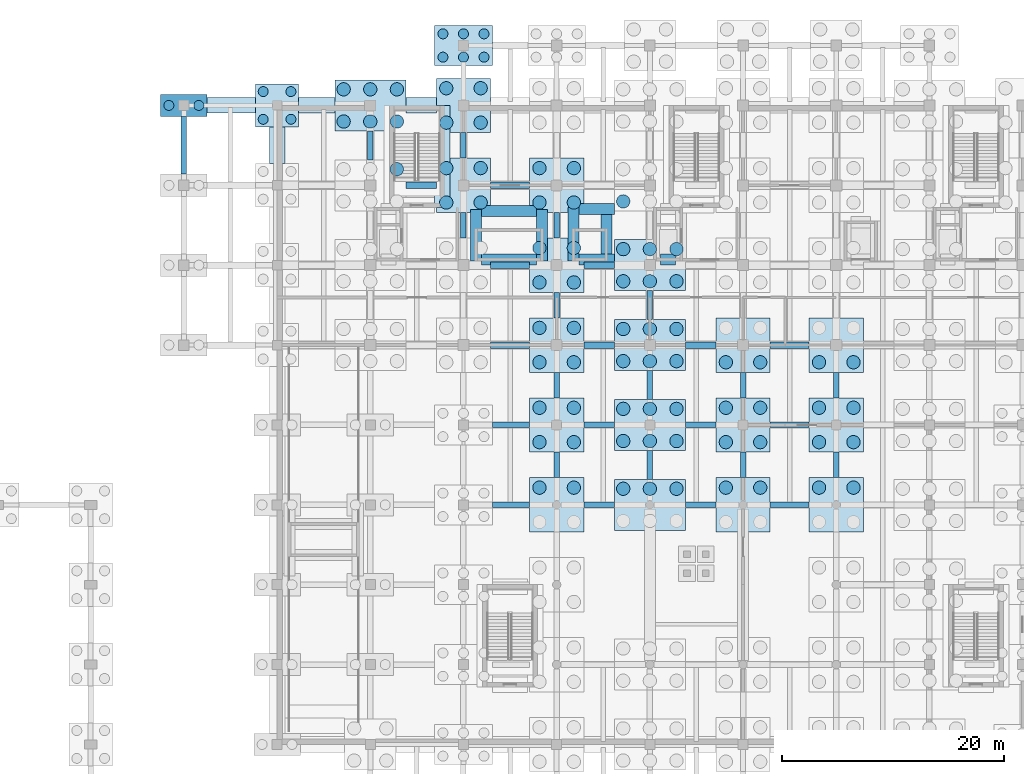
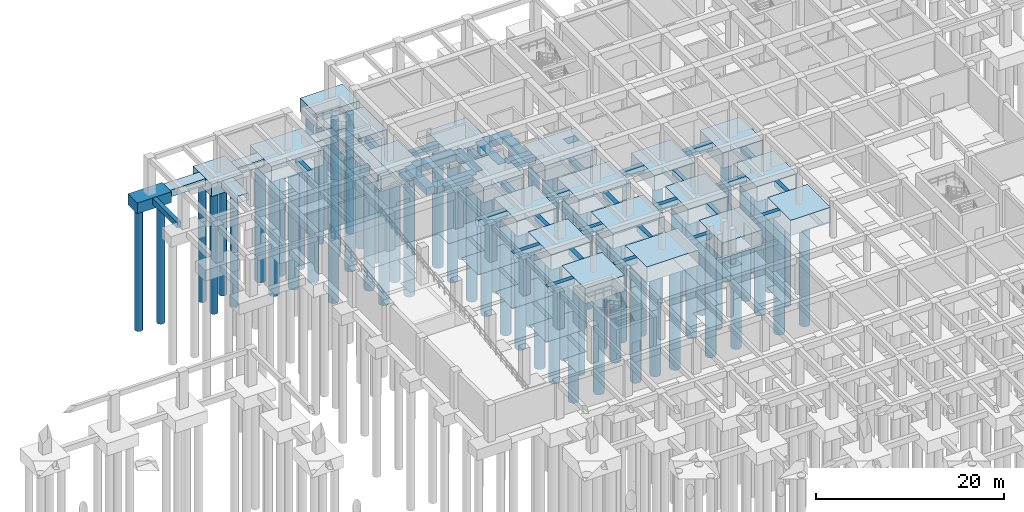
# One storey, part 7 of 26: 83 piles, 66 footings.
"""IFC4 building model written with IfcOpenShell, lengths in metres."""

from ifc_helpers import new_model, si_unit, direction, frame, origin, origin_2d, place, context, subcontext, project, spatial, rectangle, circle, extrude, material, material_profile, profile_set, type_object, element, save


model = new_model("IFC4")

# Units and contexts
model_context = context("Model", 3, precision=1e-05, world=origin(), true_north=direction((0.0, 1.0)))
body_context = subcontext(model_context, "Body", "Model", "MODEL_VIEW")
ifc_project = project(units=[si_unit("LENGTHUNIT", "METRE"), si_unit("AREAUNIT", "SQUARE_METRE"), si_unit("VOLUMEUNIT", "CUBIC_METRE"), si_unit("PLANEANGLEUNIT", "RADIAN"), si_unit("MASSUNIT", "GRAM", prefix="KILO")], contexts=[model_context])

# Site, building, storey
site_placement = place(None, origin())
site = spatial("IfcSite", under=ifc_project, at=site_placement, CompositionType="ELEMENT")
building_placement = place(site_placement, origin())
building = spatial("IfcBuilding", under=site, at=building_placement, Name="Kenerak Square Central Library", CompositionType="ELEMENT")
storey_placement = place(building_placement, frame((0.0, 0.0, -4.800048828125)))
storey = spatial("IfcBuildingStorey", under=building, at=storey_placement, Name="B1", CompositionType="ELEMENT", Elevation=-4.800048828125)

# Piles
ifc_material = material(Name="Concrete C40/50", Category="concrete")
ifc_material_profile_1 = material_profile(ifc_material, circle(Radius=0.60009765625, at=origin_2d()), Name="BP D1200")
ifc_profile_set_1 = profile_set([ifc_material_profile_1], Name="Concrete C40/50")
pile_type_1 = type_object("IfcPileType", Name="Bored Pile D1200 C40/50", PredefinedType="BORED", material=ifc_profile_set_1)
for number, where, z_axis, x_axis, name in (
    (1, (60.800048828125, 104.64990234375, -1.89990234375), (0.0, 0.0, -1.0), (1.0, 0.0, 0.0), "Bored Pile BP-1200 0196"),
    (2, (56.0, 108.949951171875, -1.89990234375), (0.0, 0.0, -1.0), (1.0, 0.0, 0.0), "Bored Pile BP-1200 0197"),
    (3, (58.39990234375, 108.949951171875, -1.89990234375), (0.0, 0.0, -1.0), (1.0, 0.0, 0.0), "Bored Pile BP-1200 0198"),
    (4, (60.800048828125, 108.949951171875, -1.89990234375), (0.0, 0.0, -1.0), (1.0, 0.0, 0.0), "Bored Pile BP-1200 0199"),
    (5, (56.0, 111.85009765625, -1.89990234375), (0.0, 0.0, -1.0), (1.0, 0.0, 0.0), "Bored Pile BP-1200 0200"),
    (6, (58.39990234375, 111.85009765625, -1.89990234375), (0.0, 0.0, -1.0), (1.0, 0.0, 0.0), "Bored Pile BP-1200 0201"),
    (7, (60.800048828125, 111.85009765625, -1.89990234375), (0.0, 0.0, -1.0), (1.0, 0.0, 0.0), "Bored Pile BP-1200 0202"),
    (8, (65.25, 101.64990234375, -1.89990234375), (0.0, 0.0, -1.0), (1.0, 0.0, 0.0), "Bored Pile BP-1200 0263"),
    (9, (68.35009765625, 101.64990234375, -1.89990234375), (0.0, 0.0, -1.0), (1.0, 0.0, 0.0), "Bored Pile BP-1200 0264"),
    (10, (65.25, 104.75, -1.89990234375), (0.0, 0.0, -1.0), (1.0, 0.0, 0.0), "Bored Pile BP-1200 0265"),
    (11, (68.35009765625, 104.75, -1.89990234375), (0.0, 0.0, -1.0), (1.0, 0.0, 0.0), "Bored Pile BP-1200 0266"),
    (12, (65.25, 108.85009765625, -1.89990234375), (0.0, 0.0, -1.0), (1.0, 0.0, 0.0), "Bored Pile BP-1200 0267"),
    (13, (68.35009765625, 108.85009765625, -1.89990234375), (0.0, 0.0, -1.0), (1.0, 0.0, 0.0), "Bored Pile BP-1200 0268"),
    (14, (65.25, 111.949951171875, -1.89990234375), (0.0, 0.0, -1.0), (1.0, 0.0, 0.0), "Bored Pile BP-1200 0269"),
    (15, (68.35009765625, 111.949951171875, -1.89990234375), (0.0, 0.0, -1.0), (1.0, 0.0, 0.0), "Bored Pile BP-1200 0270"),
    (16, (73.64990234375, 75.949951171875, -1.89990234375), (0.0, 0.0, -1.0), (1.0, 0.0, 0.0), "Bored Pile BP-1200 0313"),
    (17, (76.75, 75.949951171875, -1.89990234375), (0.0, 0.0, -1.0), (1.0, 0.0, 0.0), "Bored Pile BP-1200 0314"),
    (18, (73.64990234375, 80.050048828125, -1.89990234375), (0.0, 0.0, -1.0), (1.0, 0.0, 0.0), "Bored Pile BP-1200 0315"),
    (19, (76.75, 80.050048828125, -1.89990234375), (0.0, 0.0, -1.0), (1.0, 0.0, 0.0), "Bored Pile BP-1200 0316"),
    (20, (73.64990234375, 83.14990234375, -1.89990234375), (0.0, 0.0, -1.0), (1.0, 0.0, 0.0), "Bored Pile BP-1200 0317"),
    (21, (76.75, 83.14990234375, -1.89990234375), (0.0, 0.0, -1.0), (1.0, 0.0, 0.0), "Bored Pile BP-1200 0318"),
    (22, (73.64990234375, 87.25, -1.89990234375), (0.0, 0.0, -1.0), (1.0, 0.0, 0.0), "Bored Pile BP-1200 0319"),
    (23, (76.75, 87.25, -1.89990234375), (0.0, 0.0, -1.0), (1.0, 0.0, 0.0), "Bored Pile BP-1200 0320"),
    (24, (73.64990234375, 90.35009765625, -1.89990234375), (0.0, 0.0, -1.0), (1.0, 0.0, 0.0), "Bored Pile BP-1200 0321"),
    (25, (76.75, 90.35009765625, -1.89990234375), (0.0, 0.0, -1.0), (1.0, 0.0, 0.0), "Bored Pile BP-1200 0322"),
    (26, (73.64990234375, 94.449951171875, -1.89990234375), (0.0, 0.0, -1.0), (1.0, 0.0, 0.0), "Bored Pile BP-1200 0323"),
    (27, (76.75, 94.449951171875, -1.89990234375), (0.0, 0.0, -1.0), (1.0, 0.0, 0.0), "Bored Pile BP-1200 0324"),
    (28, (73.64990234375, 97.550048828125, -1.89990234375), (0.0, 0.0, -1.0), (1.0, 0.0, 0.0), "Bored Pile BP-1200 0325"),
    (29, (76.75, 97.550048828125, -1.89990234375), (0.0, 0.0, -1.0), (1.0, 0.0, 0.0), "Bored Pile BP-1200 0326"),
    (30, (73.64990234375, 101.64990234375, -1.89990234375), (0.0, 0.0, -1.0), (1.0, 0.0, 0.0), "Bored Pile BP-1200 0327"),
    (31, (76.75, 101.64990234375, -1.89990234375), (0.0, 0.0, -1.0), (1.0, 0.0, 0.0), "Bored Pile BP-1200 0328"),
    (32, (73.64990234375, 104.75, -1.89990234375), (0.0, 0.0, -1.0), (1.0, 0.0, 0.0), "Bored Pile BP-1200 0329"),
    (33, (76.75, 104.75, -1.89990234375), (0.0, 0.0, -1.0), (1.0, 0.0, 0.0), "Bored Pile BP-1200 0330"),
    (34, (81.199951171875, 75.85009765625, -1.89990234375), (0.0, 0.0, -1.0), (1.0, 0.0, 0.0), "Bored Pile BP-1200 0376"),
    (35, (83.60009765625, 75.85009765625, -1.89990234375), (0.0, 0.0, -1.0), (1.0, 0.0, 0.0), "Bored Pile BP-1200 0377"),
    (36, (86.0, 75.85009765625, -1.89990234375), (0.0, 0.0, -1.0), (1.0, 0.0, 0.0), "Bored Pile BP-1200 0378"),
    (37, (81.199951171875, 80.14990234375, -1.89990234375), (0.0, 0.0, -1.0), (1.0, 0.0, 0.0), "Bored Pile BP-1200 0379"),
    (38, (83.60009765625, 80.14990234375, -1.89990234375), (0.0, 0.0, -1.0), (1.0, 0.0, 0.0), "Bored Pile BP-1200 0380"),
    (39, (86.0, 80.14990234375, -1.89990234375), (0.0, 0.0, -1.0), (1.0, 0.0, 0.0), "Bored Pile BP-1200 0381"),
    (40, (81.199951171875, 83.050048828125, -1.89990234375), (0.0, 0.0, -1.0), (1.0, 0.0, 0.0), "Bored Pile BP-1200 0382"),
    (41, (83.60009765625, 83.050048828125, -1.89990234375), (0.0, 0.0, -1.0), (1.0, 0.0, 0.0), "Bored Pile BP-1200 0383"),
    (42, (86.0, 83.050048828125, -1.89990234375), (0.0, 0.0, -1.0), (1.0, 0.0, 0.0), "Bored Pile BP-1200 0384"),
    (43, (81.199951171875, 87.35009765625, -1.89990234375), (0.0, 0.0, -1.0), (1.0, 0.0, 0.0), "Bored Pile BP-1200 0385"),
    (44, (83.60009765625, 87.35009765625, -1.89990234375), (0.0, 0.0, -1.0), (1.0, 0.0, 0.0), "Bored Pile BP-1200 0386"),
    (45, (86.0, 87.35009765625, -1.89990234375), (0.0, 0.0, -1.0), (1.0, 0.0, 0.0), "Bored Pile BP-1200 0387"),
    (46, (81.199951171875, 90.25, -1.89990234375), (0.0, 0.0, -1.0), (1.0, 0.0, 0.0), "Bored Pile BP-1200 0388"),
    (47, (83.60009765625, 90.25, -1.89990234375), (0.0, 0.0, -1.0), (1.0, 0.0, 0.0), "Bored Pile BP-1200 0389"),
    (48, (86.0, 90.25, -1.89990234375), (0.0, 0.0, -1.0), (1.0, 0.0, 0.0), "Bored Pile BP-1200 0390"),
    (49, (81.199951171875, 94.550048828125, -1.89990234375), (0.0, 0.0, -1.0), (1.0, 0.0, 0.0), "Bored Pile BP-1200 0391"),
    (50, (83.60009765625, 94.550048828125, -1.89990234375), (0.0, 0.0, -1.0), (1.0, 0.0, 0.0), "Bored Pile BP-1200 0392"),
    (51, (86.0, 94.550048828125, -1.89990234375), (0.0, 0.0, -1.0), (1.0, 0.0, 0.0), "Bored Pile BP-1200 0393"),
    (52, (81.199951171875, 97.449951171875, -1.89990234375), (0.0, 0.0, -1.0), (1.0, 0.0, 0.0), "Bored Pile BP-1200 0394"),
    (53, (83.60009765625, 97.449951171875, -1.89990234375), (0.0, 0.0, -1.0), (1.0, 0.0, 0.0), "Bored Pile BP-1200 0395"),
    (54, (86.0, 97.449951171875, -1.89990234375), (0.0, 0.0, -1.0), (1.0, 0.0, 0.0), "Bored Pile BP-1200 0396"),
    (55, (81.199951171875, 101.75, -1.89990234375), (0.0, 0.0, -1.0), (1.0, 0.0, 0.0), "Bored Pile BP-1200 0397"),
    (56, (90.449951171875, 75.949951171875, -1.89990234375), (0.0, 0.0, -1.0), (1.0, 0.0, 0.0), "Bored Pile BP-1200 0443"),
    (57, (93.550048828125, 75.949951171875, -1.89990234375), (0.0, 0.0, -1.0), (1.0, 0.0, 0.0), "Bored Pile BP-1200 0444"),
    (58, (90.449951171875, 80.050048828125, -1.89990234375), (0.0, 0.0, -1.0), (1.0, 0.0, 0.0), "Bored Pile BP-1200 0445"),
    (59, (93.550048828125, 80.050048828125, -1.89990234375), (0.0, 0.0, -1.0), (1.0, 0.0, 0.0), "Bored Pile BP-1200 0446"),
    (60, (90.449951171875, 83.14990234375, -1.89990234375), (0.0, 0.0, -1.0), (1.0, 0.0, 0.0), "Bored Pile BP-1200 0447"),
    (61, (93.550048828125, 83.14990234375, -1.89990234375), (0.0, 0.0, -1.0), (1.0, 0.0, 0.0), "Bored Pile BP-1200 0448"),
    (62, (90.449951171875, 87.25, -1.89990234375), (0.0, 0.0, -1.0), (1.0, 0.0, 0.0), "Bored Pile BP-1200 0449"),
    (63, (93.550048828125, 87.25, -1.89990234375), (0.0, 0.0, -1.0), (1.0, 0.0, 0.0), "Bored Pile BP-1200 0450"),
    (64, (98.85009765625, 75.949951171875, -1.89990234375), (0.0, 0.0, -1.0), (1.0, 0.0, 0.0), "Bored Pile BP-1200 0503"),
    (65, (101.949951171875, 75.949951171875, -1.89990234375), (0.0, 0.0, -1.0), (1.0, 0.0, 0.0), "Bored Pile BP-1200 0504"),
    (66, (98.85009765625, 80.050048828125, -1.89990234375), (0.0, 0.0, -1.0), (1.0, 0.0, 0.0), "Bored Pile BP-1200 0505"),
    (67, (101.949951171875, 80.050048828125, -1.89990234375), (0.0, 0.0, -1.0), (1.0, 0.0, 0.0), "Bored Pile BP-1200 0506"),
    (68, (98.85009765625, 83.14990234375, -1.89990234375), (0.0, 0.0, -1.0), (1.0, 0.0, 0.0), "Bored Pile BP-1200 0507"),
    (69, (101.949951171875, 83.14990234375, -1.89990234375), (0.0, 0.0, -1.0), (1.0, 0.0, 0.0), "Bored Pile BP-1200 0508"),
    (70, (98.85009765625, 87.25, -1.89990234375), (0.0, 0.0, -1.0), (1.0, 0.0, 0.0), "Bored Pile BP-1200 0509"),
    (71, (101.949951171875, 87.25, -1.89990234375), (0.0, 0.0, -1.0), (1.0, 0.0, 0.0), "Bored Pile BP-1200 0510"),
):
    element("IfcPile", number, at=place(storey_placement, frame(where, z_axis=z_axis, x_axis=x_axis)), inside=storey, type_object=pile_type_1, Name=name, PredefinedType="BORED", context=body_context, shape_type="SweptSolid", body=[
        extrude(circle(Radius=0.60009765625, at=origin_2d()), origin(), (0.0, 0.0, 1.0), 15.300048828125),
    ])
ifc_material_profile_2 = material_profile(ifc_material, circle(Radius=0.449951171875, at=origin_2d()), Name="BP D900")
ifc_profile_set_2 = profile_set([ifc_material_profile_2], Name="Concrete C40/50")
pile_type_2 = type_object("IfcPileType", Name="Bored Pile D900 C40/50", PredefinedType="BORED", material=ifc_profile_set_2)
for number, where, z_axis, x_axis, name in (
    (72, (40.25, 110.39990234375, -1.300048828125), (0.0, 0.0, -1.0), (1.0, 0.0, 0.0), "Bored Pile BP-900 0103"),
    (73, (42.949951171875, 110.39990234375, -1.300048828125), (0.0, 0.0, -1.0), (1.0, 0.0, 0.0), "Bored Pile BP-900 0104"),
):
    element("IfcPile", number, at=place(storey_placement, frame(where, z_axis=z_axis, x_axis=x_axis)), inside=storey, type_object=pile_type_2, Name=name, PredefinedType="BORED", context=body_context, shape_type="SweptSolid", body=[
        extrude(circle(Radius=0.449951171875, at=origin_2d()), origin(), (0.0, 0.0, 1.0), 15.89990234375),
    ])
for number, where, z_axis, x_axis, name in (
    (74, (48.75, 109.14990234375, -1.5), (0.0, 0.0, -1.0), (1.0, 0.0, 0.0), "Bored Pile BP-900 0143"),
    (75, (51.25, 109.14990234375, -1.5), (0.0, 0.0, -1.0), (1.0, 0.0, 0.0), "Bored Pile BP-900 0144"),
    (76, (48.75, 111.64990234375, -1.5), (0.0, 0.0, -1.0), (1.0, 0.0, 0.0), "Bored Pile BP-900 0145"),
    (77, (51.25, 111.64990234375, -1.5), (0.0, 0.0, -1.0), (1.0, 0.0, 0.0), "Bored Pile BP-900 0146"),
):
    element("IfcPile", number, at=place(storey_placement, frame(where, z_axis=z_axis, x_axis=x_axis)), inside=storey, type_object=pile_type_2, Name=name, PredefinedType="BORED", context=body_context, shape_type="SweptSolid", body=[
        extrude(circle(Radius=0.449951171875, at=origin_2d()), origin(), (0.0, 0.0, 1.0), 15.699951171875),
    ])
for number, where, z_axis, x_axis, name in (
    (78, (64.949951171875, 114.75, -1.699951171875), (0.0, 0.0, -1.0), (1.0, 0.0, 0.0), "Bored Pile BP-900 0271"),
    (79, (66.800048828125, 114.75, -1.699951171875), (0.0, 0.0, -1.0), (1.0, 0.0, 0.0), "Bored Pile BP-900 0272"),
    (80, (68.64990234375, 114.75, -1.699951171875), (0.0, 0.0, -1.0), (1.0, 0.0, 0.0), "Bored Pile BP-900 0273"),
    (81, (64.949951171875, 116.85009765625, -1.699951171875), (0.0, 0.0, -1.0), (1.0, 0.0, 0.0), "Bored Pile BP-900 0274"),
    (82, (66.800048828125, 116.85009765625, -1.699951171875), (0.0, 0.0, -1.0), (1.0, 0.0, 0.0), "Bored Pile BP-900 0275"),
    (83, (68.64990234375, 116.85009765625, -1.699951171875), (0.0, 0.0, -1.0), (1.0, 0.0, 0.0), "Bored Pile BP-900 0276"),
):
    element("IfcPile", number, at=place(storey_placement, frame(where, z_axis=z_axis, x_axis=x_axis)), inside=storey, type_object=pile_type_2, Name=name, PredefinedType="BORED", context=body_context, shape_type="SweptSolid", body=[
        extrude(circle(Radius=0.449951171875, at=origin_2d()), origin(), (0.0, 0.0, 1.0), 15.5),
    ])

# Footings
footing_type_1 = type_object("IfcFootingType", Name="Ground Tie Beam GB-01 500x750", PredefinedType="FOOTING_BEAM", material=ifc_material)
footing_1_placement = place(storey_placement, frame((41.60009765625, 106.800048828125, -0.75), z_axis=(0.0, 0.0, 1.0), x_axis=(1.0, 0.0, 0.0)))
element("IfcFooting", 84, at=footing_1_placement, inside=storey, type_object=footing_type_1, Name="Ground Tie Beam 042", PredefinedType="FOOTING_BEAM", context=body_context, shape_type="SweptSolid", body=[
    extrude(rectangle(XDim=0.5, YDim=5.199951171875, at=origin_2d()), origin(), (0.0, 0.0, 1.0), 0.75),
])
footing_2_placement = place(storey_placement, frame((58.39990234375, 106.800048828125, -0.75), z_axis=(0.0, 0.0, 1.0), x_axis=(1.0, 0.0, 0.0)))
element("IfcFooting", 85, at=footing_2_placement, inside=storey, type_object=footing_type_1, Name="Ground Tie Beam 078", PredefinedType="FOOTING_BEAM", context=body_context, shape_type="SweptSolid", body=[
    extrude(rectangle(XDim=0.5, YDim=2.60009765625, at=origin_2d()), origin(), (0.0, 0.0, 1.0), 0.75),
])
for number, where, z_axis, x_axis, name in (
    (86, (71.074951171875, 74.39990234375, -0.75), (0.0, 0.0, 1.0), (1.0, 0.0, 0.0), "Ground Tie Beam 094"),
    (87, (71.074951171875, 81.60009765625, -0.75), (0.0, 0.0, 1.0), (1.0, 0.0, 0.0), "Ground Tie Beam 096"),
):
    element("IfcFooting", number, at=place(storey_placement, frame(where, z_axis=z_axis, x_axis=x_axis)), inside=storey, type_object=footing_type_1, Name=name, PredefinedType="FOOTING_BEAM", context=body_context, shape_type="SweptSolid", body=[
        extrude(rectangle(XDim=3.35009765625, YDim=0.5, at=origin_2d()), origin(), (0.0, 0.0, 1.0), 0.75),
    ])
for number, where, z_axis, x_axis, name in (
    (88, (66.800048828125, 99.60009765625, -0.75), (0.0, 0.0, 1.0), (1.0, 0.0, 0.0), "Ground Tie Beam 101"),
    (89, (66.800048828125, 106.800048828125, -0.75), (0.0, 0.0, 1.0), (1.0, 0.0, 0.0), "Ground Tie Beam 103"),
):
    element("IfcFooting", number, at=place(storey_placement, frame(where, z_axis=z_axis, x_axis=x_axis)), inside=storey, type_object=footing_type_1, Name=name, PredefinedType="FOOTING_BEAM", context=body_context, shape_type="SweptSolid", body=[
        extrude(rectangle(XDim=0.5, YDim=2.300048828125, at=origin_2d()), origin(), (0.0, 0.0, 1.0), 0.75),
    ])
footing_3_placement = place(storey_placement, frame((79.02490234375, 74.39990234375, -0.75), z_axis=(0.0, 0.0, 1.0), x_axis=(1.0, 0.0, 0.0)))
element("IfcFooting", 90, at=footing_3_placement, inside=storey, type_object=footing_type_1, Name="Ground Tie Beam 119", PredefinedType="FOOTING_BEAM", context=body_context, shape_type="SweptSolid", body=[
    extrude(rectangle(XDim=2.75, YDim=0.5, at=origin_2d()), origin(), (0.0, 0.0, 1.0), 0.75),
])
footing_4_placement = place(storey_placement, frame((75.199951171875, 78.0, -0.75), z_axis=(0.0, 0.0, 1.0), x_axis=(1.0, 0.0, 0.0)))
element("IfcFooting", 91, at=footing_4_placement, inside=storey, type_object=footing_type_1, Name="Ground Tie Beam 120", PredefinedType="FOOTING_BEAM", context=body_context, shape_type="SweptSolid", body=[
    extrude(rectangle(XDim=0.5, YDim=2.300048828125, at=origin_2d()), origin(), (0.0, 0.0, 1.0), 0.75),
])
footing_5_placement = place(storey_placement, frame((79.02490234375, 81.60009765625, -0.75), z_axis=(0.0, 0.0, 1.0), x_axis=(1.0, 0.0, 0.0)))
element("IfcFooting", 92, at=footing_5_placement, inside=storey, type_object=footing_type_1, Name="Ground Tie Beam 121", PredefinedType="FOOTING_BEAM", context=body_context, shape_type="SweptSolid", body=[
    extrude(rectangle(XDim=2.75, YDim=0.5, at=origin_2d()), origin(), (0.0, 0.0, 1.0), 0.75),
])
for number, where, z_axis, x_axis, name in (
    (93, (75.199951171875, 85.199951171875, -0.75), (0.0, 0.0, 1.0), (1.0, 0.0, 0.0), "Ground Tie Beam 122"),
    (94, (75.199951171875, 92.39990234375, -0.75), (0.0, 0.0, 1.0), (1.0, 0.0, 0.0), "Ground Tie Beam 124"),
    (95, (75.199951171875, 99.60009765625, -0.75), (0.0, 0.0, 1.0), (1.0, 0.0, 0.0), "Ground Tie Beam 126"),
):
    element("IfcFooting", number, at=place(storey_placement, frame(where, z_axis=z_axis, x_axis=x_axis)), inside=storey, type_object=footing_type_1, Name=name, PredefinedType="FOOTING_BEAM", context=body_context, shape_type="SweptSolid", body=[
        extrude(rectangle(XDim=0.5, YDim=2.300048828125, at=origin_2d()), origin(), (0.0, 0.0, 1.0), 0.75),
    ])
footing_6_placement = place(storey_placement, frame((88.175048828125, 74.39990234375, -0.75), z_axis=(0.0, 0.0, 1.0), x_axis=(1.0, 0.0, 0.0)))
element("IfcFooting", 96, at=footing_6_placement, inside=storey, type_object=footing_type_1, Name="Ground Tie Beam 142", PredefinedType="FOOTING_BEAM", context=body_context, shape_type="SweptSolid", body=[
    extrude(rectangle(XDim=2.75, YDim=0.5, at=origin_2d()), origin(), (0.0, 0.0, 1.0), 0.75),
])
footing_7_placement = place(storey_placement, frame((83.60009765625, 78.0, -0.75), z_axis=(0.0, 0.0, 1.0), x_axis=(1.0, 0.0, 0.0)))
element("IfcFooting", 97, at=footing_7_placement, inside=storey, type_object=footing_type_1, Name="Ground Tie Beam 143", PredefinedType="FOOTING_BEAM", context=body_context, shape_type="SweptSolid", body=[
    extrude(rectangle(XDim=0.5, YDim=2.60009765625, at=origin_2d()), origin(), (0.0, 0.0, 1.0), 0.75),
])
footing_8_placement = place(storey_placement, frame((88.175048828125, 81.60009765625, -0.75), z_axis=(0.0, 0.0, 1.0), x_axis=(1.0, 0.0, 0.0)))
element("IfcFooting", 98, at=footing_8_placement, inside=storey, type_object=footing_type_1, Name="Ground Tie Beam 144", PredefinedType="FOOTING_BEAM", context=body_context, shape_type="SweptSolid", body=[
    extrude(rectangle(XDim=2.75, YDim=0.5, at=origin_2d()), origin(), (0.0, 0.0, 1.0), 0.75),
])
for number, where, z_axis, x_axis, name in (
    (99, (83.60009765625, 85.199951171875, -0.75), (0.0, 0.0, 1.0), (1.0, 0.0, 0.0), "Ground Tie Beam 145"),
    (100, (83.60009765625, 92.39990234375, -0.75), (0.0, 0.0, 1.0), (1.0, 0.0, 0.0), "Ground Tie Beam 147"),
):
    element("IfcFooting", number, at=place(storey_placement, frame(where, z_axis=z_axis, x_axis=x_axis)), inside=storey, type_object=footing_type_1, Name=name, PredefinedType="FOOTING_BEAM", context=body_context, shape_type="SweptSolid", body=[
        extrude(rectangle(XDim=0.5, YDim=2.60009765625, at=origin_2d()), origin(), (0.0, 0.0, 1.0), 0.75),
    ])
footing_9_placement = place(storey_placement, frame((96.199951171875, 74.39990234375, -0.75), z_axis=(0.0, 0.0, 1.0), x_axis=(1.0, 0.0, 0.0)))
element("IfcFooting", 101, at=footing_9_placement, inside=storey, type_object=footing_type_1, Name="Ground Tie Beam 165", PredefinedType="FOOTING_BEAM", context=body_context, shape_type="SweptSolid", body=[
    extrude(rectangle(XDim=3.5, YDim=0.5, at=origin_2d()), origin(), (0.0, 0.0, 1.0), 0.75),
])
footing_10_placement = place(storey_placement, frame((92.0, 78.0, -0.75), z_axis=(0.0, 0.0, 1.0), x_axis=(1.0, 0.0, 0.0)))
element("IfcFooting", 102, at=footing_10_placement, inside=storey, type_object=footing_type_1, Name="Ground Tie Beam 166", PredefinedType="FOOTING_BEAM", context=body_context, shape_type="SweptSolid", body=[
    extrude(rectangle(XDim=0.5, YDim=2.300048828125, at=origin_2d()), origin(), (0.0, 0.0, 1.0), 0.75),
])
footing_11_placement = place(storey_placement, frame((96.199951171875, 81.60009765625, -0.75), z_axis=(0.0, 0.0, 1.0), x_axis=(1.0, 0.0, 0.0)))
element("IfcFooting", 103, at=footing_11_placement, inside=storey, type_object=footing_type_1, Name="Ground Tie Beam 167", PredefinedType="FOOTING_BEAM", context=body_context, shape_type="SweptSolid", body=[
    extrude(rectangle(XDim=3.5, YDim=0.5, at=origin_2d()), origin(), (0.0, 0.0, 1.0), 0.75),
])
for number, where, z_axis, x_axis, name in (
    (104, (92.0, 85.199951171875, -0.75), (0.0, 0.0, 1.0), (1.0, 0.0, 0.0), "Ground Tie Beam 168"),
    (105, (100.39990234375, 78.0, -0.75), (0.0, 0.0, 1.0), (1.0, 0.0, 0.0), "Ground Tie Beam 192"),
    (106, (100.39990234375, 85.199951171875, -0.75), (0.0, 0.0, 1.0), (1.0, 0.0, 0.0), "Ground Tie Beam 194"),
):
    element("IfcFooting", number, at=place(storey_placement, frame(where, z_axis=z_axis, x_axis=x_axis)), inside=storey, type_object=footing_type_1, Name=name, PredefinedType="FOOTING_BEAM", context=body_context, shape_type="SweptSolid", body=[
        extrude(rectangle(XDim=0.5, YDim=2.300048828125, at=origin_2d()), origin(), (0.0, 0.0, 1.0), 0.75),
    ])
footing_type_2 = type_object("IfcFootingType", Name="Ground Tie Beam GB-03 600x850", PredefinedType="FOOTING_BEAM", material=ifc_material)
footing_12_placement = place(storey_placement, frame((62.97509765625, 103.199951171875, -0.85009765625), z_axis=(0.0, 0.0, 1.0), x_axis=(1.0, 0.0, 0.0)))
element("IfcFooting", 107, at=footing_12_placement, inside=storey, type_object=footing_type_2, Name="Ground Tie Beam 077", PredefinedType="FOOTING_BEAM", context=body_context, shape_type="SweptSolid", body=[
    extrude(rectangle(XDim=2.75, YDim=0.60009765625, at=origin_2d()), origin(), (0.0, 0.0, 1.0), 0.85009765625),
])
for number, where, z_axis, x_axis, name in (
    (108, (71.0, 88.800048828125, -0.85009765625), (0.0, 0.0, 1.0), (1.0, 0.0, 0.0), "Ground Tie Beam 098"),
    (109, (71.0, 96.0, -0.85009765625), (0.0, 0.0, 1.0), (1.0, 0.0, 0.0), "Ground Tie Beam 100"),
    (110, (71.0, 103.199951171875, -0.85009765625), (0.0, 0.0, 1.0), (1.0, 0.0, 0.0), "Ground Tie Beam 102"),
):
    element("IfcFooting", number, at=place(storey_placement, frame(where, z_axis=z_axis, x_axis=x_axis)), inside=storey, type_object=footing_type_2, Name=name, PredefinedType="FOOTING_BEAM", context=body_context, shape_type="SweptSolid", body=[
        extrude(rectangle(XDim=3.5, YDim=0.60009765625, at=origin_2d()), origin(), (0.0, 0.0, 1.0), 0.85009765625),
    ])
for number, where, z_axis, x_axis, name in (
    (111, (79.02490234375, 88.800048828125, -0.85009765625), (0.0, 0.0, 1.0), (1.0, 0.0, 0.0), "Ground Tie Beam 123"),
    (112, (79.02490234375, 96.0, -0.85009765625), (0.0, 0.0, 1.0), (1.0, 0.0, 0.0), "Ground Tie Beam 125"),
    (113, (88.175048828125, 88.800048828125, -0.85009765625), (0.0, 0.0, 1.0), (1.0, 0.0, 0.0), "Ground Tie Beam 146"),
):
    element("IfcFooting", number, at=place(storey_placement, frame(where, z_axis=z_axis, x_axis=x_axis)), inside=storey, type_object=footing_type_2, Name=name, PredefinedType="FOOTING_BEAM", context=body_context, shape_type="SweptSolid", body=[
        extrude(rectangle(XDim=2.75, YDim=0.60009765625, at=origin_2d()), origin(), (0.0, 0.0, 1.0), 0.85009765625),
    ])
footing_13_placement = place(storey_placement, frame((96.199951171875, 88.800048828125, -0.85009765625), z_axis=(0.0, 0.0, 1.0), x_axis=(1.0, 0.0, 0.0)))
element("IfcFooting", 114, at=footing_13_placement, inside=storey, type_object=footing_type_2, Name="Ground Tie Beam 169", PredefinedType="FOOTING_BEAM", context=body_context, shape_type="SweptSolid", body=[
    extrude(rectangle(XDim=3.5, YDim=0.60009765625, at=origin_2d()), origin(), (0.0, 0.0, 1.0), 0.85009765625),
])
footing_type_3 = type_object("IfcFootingType", Name="Pile Cap PC-01 4200x2000x1400", PredefinedType="PILE_CAP", material=ifc_material)
footing_14_placement = place(storey_placement, frame((41.60009765625, 110.39990234375, -1.39990234375), z_axis=(0.0, 0.0, 1.0), x_axis=(1.0, 0.0, 0.0)))
element("IfcFooting", 115, at=footing_14_placement, inside=storey, type_object=footing_type_3, Name="Pile Cap PC-01 028", PredefinedType="PILE_CAP", context=body_context, shape_type="SweptSolid", body=[
    extrude(rectangle(XDim=4.199951171875, YDim=2.0, at=origin_2d()), origin(), (0.0, 0.0, 1.0), 1.39990234375),
])
footing_type_4 = type_object("IfcFootingType", Name="Pile Cap PC-03 3900x3900x1600", PredefinedType="PILE_CAP", material=ifc_material)
footing_15_placement = place(storey_placement, frame((50.0, 110.39990234375, -1.60009765625), z_axis=(0.0, 0.0, 1.0), x_axis=(1.0, 0.0, 0.0)))
element("IfcFooting", 116, at=footing_15_placement, inside=storey, type_object=footing_type_4, Name="Pile Cap PC-03 041", PredefinedType="PILE_CAP", context=body_context, shape_type="SweptSolid", body=[
    extrude(rectangle(XDim=3.89990234375, YDim=3.89990234375, at=origin_2d()), origin(), (0.0, 0.0, 1.0), 1.60009765625),
])
footing_type_5 = type_object("IfcFootingType", Name="Pile Cap PC-05 5200x3600x1800", PredefinedType="PILE_CAP", material=ifc_material)
footing_16_placement = place(storey_placement, frame((66.800048828125, 115.800048828125, -1.7998046875), z_axis=(0.0, 0.0, 1.0), x_axis=(1.0, 0.0, 0.0)))
element("IfcFooting", 117, at=footing_16_placement, inside=storey, type_object=footing_type_5, Name="Pile Cap PC-05 070", PredefinedType="PILE_CAP", context=body_context, shape_type="SweptSolid", body=[
    extrude(rectangle(XDim=5.199951171875, YDim=3.60009765625, at=origin_2d()), origin(), (0.0, 0.0, 1.0), 1.800048828125),
])
footing_type_6 = type_object("IfcFootingType", Name="Pile Cap PC-07 6400x4600x2000", PredefinedType="PILE_CAP", material=ifc_material)
for number, where, z_axis, x_axis, name in (
    (118, (58.39990234375, 110.39990234375, -2.0), (0.0, 0.0, 1.0), (1.0, 0.0, 0.0), "Pile Cap PC-07 055"),
    (119, (83.60009765625, 74.39990234375, -2.0), (0.0, 0.0, 1.0), (1.0, 0.0, 0.0), "Pile Cap PC-07 093"),
    (120, (83.60009765625, 81.60009765625, -2.0), (0.0, 0.0, 1.0), (1.0, 0.0, 0.0), "Pile Cap PC-07 094"),
    (121, (83.60009765625, 88.800048828125, -2.0), (0.0, 0.0, 1.0), (1.0, 0.0, 0.0), "Pile Cap PC-07 095"),
    (122, (83.60009765625, 96.0, -2.0), (0.0, 0.0, 1.0), (1.0, 0.0, 0.0), "Pile Cap PC-07 096"),
):
    element("IfcFooting", number, at=place(storey_placement, frame(where, z_axis=z_axis, x_axis=x_axis)), inside=storey, type_object=footing_type_6, Name=name, PredefinedType="PILE_CAP", context=body_context, shape_type="SweptSolid", body=[
        extrude(rectangle(XDim=6.39990234375, YDim=4.60009765625, at=origin_2d()), origin(), (0.0, 0.0, 1.0), 2.0),
    ])
footing_type_7 = type_object("IfcFootingType", Name="Pile Cap PC-08 4900x4900x2000", PredefinedType="PILE_CAP", material=ifc_material)
for number, where, z_axis, x_axis, name in (
    (123, (66.800048828125, 103.199951171875, -2.0), (0.0, 0.0, 1.0), (1.0, 0.0, 0.0), "Pile Cap PC-08 068"),
    (124, (66.800048828125, 110.39990234375, -2.0), (0.0, 0.0, 1.0), (1.0, 0.0, 0.0), "Pile Cap PC-08 069"),
    (125, (75.199951171875, 74.39990234375, -2.0), (0.0, 0.0, 1.0), (1.0, 0.0, 0.0), "Pile Cap PC-08 079"),
    (126, (75.199951171875, 81.60009765625, -2.0), (0.0, 0.0, 1.0), (1.0, 0.0, 0.0), "Pile Cap PC-08 080"),
    (127, (75.199951171875, 88.800048828125, -2.0), (0.0, 0.0, 1.0), (1.0, 0.0, 0.0), "Pile Cap PC-08 081"),
    (128, (75.199951171875, 96.0, -2.0), (0.0, 0.0, 1.0), (1.0, 0.0, 0.0), "Pile Cap PC-08 082"),
    (129, (75.199951171875, 103.199951171875, -2.0), (0.0, 0.0, 1.0), (1.0, 0.0, 0.0), "Pile Cap PC-08 083"),
    (130, (92.0, 74.39990234375, -2.0), (0.0, 0.0, 1.0), (1.0, 0.0, 0.0), "Pile Cap PC-08 107"),
    (131, (92.0, 81.60009765625, -2.0), (0.0, 0.0, 1.0), (1.0, 0.0, 0.0), "Pile Cap PC-08 108"),
    (132, (92.0, 88.800048828125, -2.0), (0.0, 0.0, 1.0), (1.0, 0.0, 0.0), "Pile Cap PC-08 109"),
    (133, (100.39990234375, 74.39990234375, -2.0), (0.0, 0.0, 1.0), (1.0, 0.0, 0.0), "Pile Cap PC-08 122"),
    (134, (100.39990234375, 81.60009765625, -2.0), (0.0, 0.0, 1.0), (1.0, 0.0, 0.0), "Pile Cap PC-08 123"),
    (135, (100.39990234375, 88.800048828125, -2.0), (0.0, 0.0, 1.0), (1.0, 0.0, 0.0), "Pile Cap PC-08 124"),
):
    element("IfcFooting", number, at=place(storey_placement, frame(where, z_axis=z_axis, x_axis=x_axis)), inside=storey, type_object=footing_type_7, Name=name, PredefinedType="PILE_CAP", context=body_context, shape_type="SweptSolid", body=[
        extrude(rectangle(XDim=4.89990234375, YDim=4.89990234375, at=origin_2d()), origin(), (0.0, 0.0, 1.0), 2.0),
    ])
footing_type_8 = type_object("IfcFootingType", Name="Wall Strip Footing SF-01 1400x900", PredefinedType="STRIP_FOOTING", material=ifc_material)
footing_17_placement = place(storey_placement, frame((45.875, 110.39990234375, -0.89990234375), z_axis=(0.0, 0.0, 1.0), x_axis=(1.0, 0.0, 0.0)))
element("IfcFooting", 136, at=footing_17_placement, inside=storey, type_object=footing_type_8, Name="Strip Footing SF-01 001", PredefinedType="STRIP_FOOTING", context=body_context, shape_type="SweptSolid", body=[
    extrude(rectangle(XDim=4.35009765625, YDim=1.39990234375, at=origin_2d()), origin(), (0.0, 0.0, 1.0), 0.89990234375),
])
footing_18_placement = place(storey_placement, frame((50.0, 106.800048828125, -0.89990234375), z_axis=(0.0, 0.0, 1.0), x_axis=(1.0, 0.0, 0.0)))
element("IfcFooting", 137, at=footing_18_placement, inside=storey, type_object=footing_type_8, Name="Strip Footing SF-01 013", PredefinedType="STRIP_FOOTING", context=body_context, shape_type="SweptSolid", body=[
    extrude(rectangle(XDim=1.39990234375, YDim=3.300048828125, at=origin_2d()), origin(), (0.0, 0.0, 1.0), 0.89990234375),
])
footing_19_placement = place(storey_placement, frame((53.574951171875, 110.39990234375, -0.89990234375), z_axis=(0.0, 0.0, 1.0), x_axis=(1.0, 0.0, 0.0)))
element("IfcFooting", 138, at=footing_19_placement, inside=storey, type_object=footing_type_8, Name="Strip Footing SF-01 014", PredefinedType="STRIP_FOOTING", context=body_context, shape_type="SweptSolid", body=[
    extrude(rectangle(XDim=3.25, YDim=1.39990234375, at=origin_2d()), origin(), (0.0, 0.0, 1.0), 0.89990234375),
])
footing_20_placement = place(storey_placement, frame((62.97509765625, 110.39990234375, -0.89990234375), z_axis=(0.0, 0.0, 1.0), x_axis=(1.0, 0.0, 0.0)))
element("IfcFooting", 139, at=footing_20_placement, inside=storey, type_object=footing_type_8, Name="Strip Footing SF-01 016", PredefinedType="STRIP_FOOTING", context=body_context, shape_type="SweptSolid", body=[
    extrude(rectangle(XDim=2.75, YDim=1.39990234375, at=origin_2d()), origin(), (0.0, 0.0, 1.0), 0.89990234375),
])
footing_21_placement = place(storey_placement, frame((64.8798828125, 105.800048828125, -0.89990234375), z_axis=(0.0, 0.0, 1.0), x_axis=(1.0, 0.0, 0.0)))
element("IfcFooting", 140, at=footing_21_placement, inside=storey, type_object=footing_type_8, Name="Strip Footing SF-01 SFCW-C1 E", PredefinedType="STRIP_FOOTING", context=body_context, shape_type="SweptSolid", body=[
    extrude(rectangle(XDim=1.39990234375, YDim=9.199951171875, at=origin_2d()), origin(), (0.0, 0.0, 1.0), 0.89990234375),
])
footing_22_placement = place(storey_placement, frame((85.25, 96.52490234375, -0.89990234375), z_axis=(0.0, 0.0, 1.0), x_axis=(1.0, 0.0, 0.0)))
element("IfcFooting", 141, at=footing_22_placement, inside=storey, type_object=footing_type_8, Name="Strip Footing SF-01 SFFL-C2 S", PredefinedType="STRIP_FOOTING", context=body_context, shape_type="SweptSolid", body=[
    extrude(rectangle(XDim=1.35009765625, YDim=1.0, at=origin_2d()), origin(), (0.0, 0.0, 1.0), 0.89990234375),
])
for number, where, z_axis, x_axis, name in (
    (142, (67.925048828125, 98.699951171875, -0.89990234375), (0.0, 0.0, 1.0), (1.0, 0.0, 0.0), "Strip Footing SF-01 SFPL-W W"),
    (143, (73.875, 98.699951171875, -0.89990234375), (0.0, 0.0, 1.0), (1.0, 0.0, 0.0), "Strip Footing SF-01 SFPL-W E"),
):
    element("IfcFooting", number, at=place(storey_placement, frame(where, z_axis=z_axis, x_axis=x_axis)), inside=storey, type_object=footing_type_8, Name=name, PredefinedType="STRIP_FOOTING", context=body_context, shape_type="SweptSolid", body=[
        extrude(rectangle(XDim=1.0, YDim=4.60009765625, at=origin_2d()), origin(), (0.0, 0.0, 1.0), 0.89990234375),
    ])
for number, where, z_axis, x_axis, name in (
    (144, (70.89990234375, 96.52490234375, -0.89990234375), (0.0, 0.0, 1.0), (1.0, 0.0, 0.0), "Strip Footing SF-01 SFPL-W S"),
    (145, (70.89990234375, 100.875, -0.89990234375), (0.0, 0.0, 1.0), (1.0, 0.0, 0.0), "Strip Footing SF-01 SFPL-W N"),
):
    element("IfcFooting", number, at=place(storey_placement, frame(where, z_axis=z_axis, x_axis=x_axis)), inside=storey, type_object=footing_type_8, Name=name, PredefinedType="STRIP_FOOTING", context=body_context, shape_type="SweptSolid", body=[
        extrude(rectangle(XDim=4.949951171875, YDim=1.0, at=origin_2d()), origin(), (0.0, 0.0, 1.0), 0.89990234375),
    ])
footing_23_placement = place(storey_placement, frame((76.72509765625, 98.800048828125, -0.89990234375), z_axis=(0.0, 0.0, 1.0), x_axis=(1.0, 0.0, 0.0)))
element("IfcFooting", 146, at=footing_23_placement, inside=storey, type_object=footing_type_8, Name="Strip Footing SF-01 SFPL-E W", PredefinedType="STRIP_FOOTING", context=body_context, shape_type="SweptSolid", body=[
    extrude(rectangle(XDim=1.0, YDim=4.800048828125, at=origin_2d()), origin(), (0.0, 0.0, 1.0), 0.89990234375),
])
footing_24_placement = place(storey_placement, frame((79.675048828125, 98.800048828125, -0.89990234375), z_axis=(0.0, 0.0, 1.0), x_axis=(1.0, 0.0, 0.0)))
element("IfcFooting", 147, at=footing_24_placement, inside=storey, type_object=footing_type_8, Name="Strip Footing SF-01 SFPL-E E", PredefinedType="STRIP_FOOTING", context=body_context, shape_type="SweptSolid", body=[
    extrude(rectangle(XDim=1.0, YDim=3.550048828125, at=origin_2d()), origin(), (0.0, 0.0, 1.0), 0.89990234375),
])
for number, where, z_axis, x_axis, name in (
    (148, (78.8125, 96.52490234375, -0.89990234375), (0.0, 0.0, 1.0), (1.0, 0.0, 0.0), "Strip Footing SF-01 SFPL-E S"),
    (149, (78.8125, 101.074951171875, -0.89990234375), (0.0, 0.0, 1.0), (1.0, 0.0, 0.0), "Strip Footing SF-01 SFPL-E N"),
):
    element("IfcFooting", number, at=place(storey_placement, frame(where, z_axis=z_axis, x_axis=x_axis)), inside=storey, type_object=footing_type_8, Name=name, PredefinedType="STRIP_FOOTING", context=body_context, shape_type="SweptSolid", body=[
        extrude(rectangle(XDim=3.175048828125, YDim=1.0, at=origin_2d()), origin(), (0.0, 0.0, 1.0), 0.89990234375),
    ])

save(model, "model.ifc")
